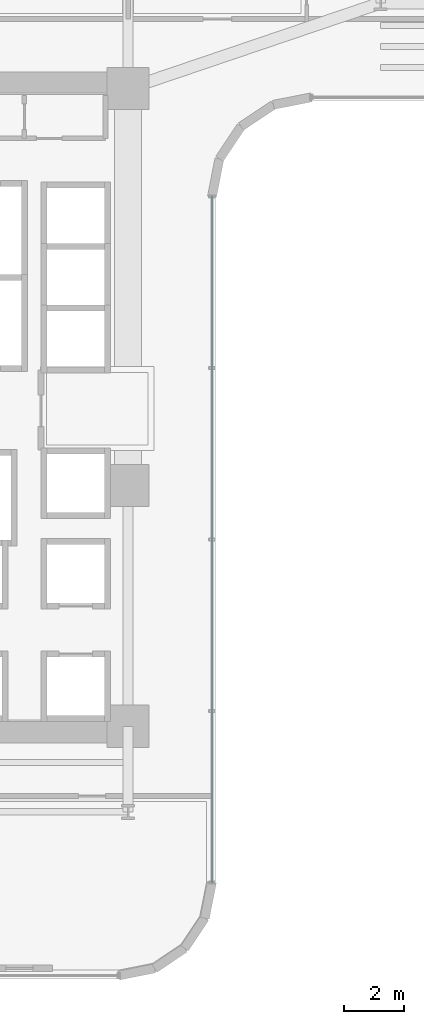
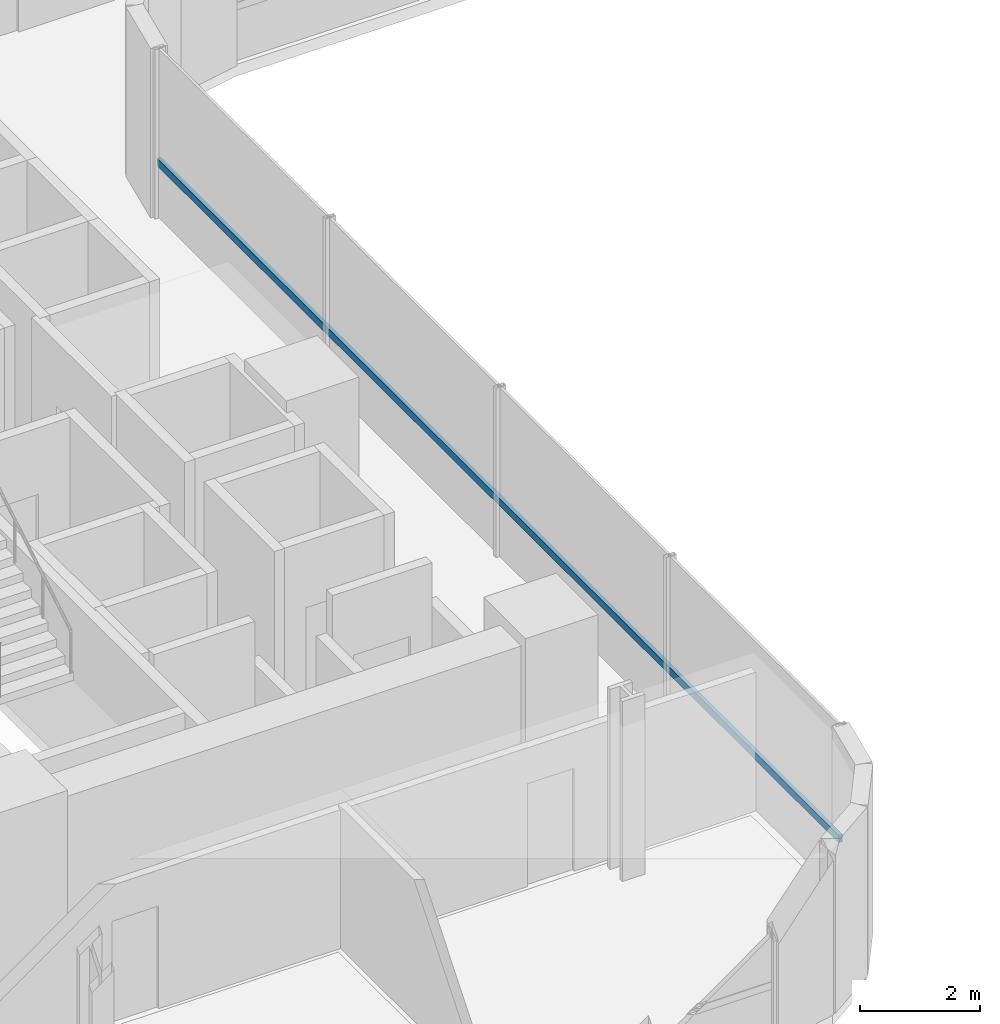
# One storey, part 7 of 41: 1 member, 1 element without a shape of its own.
"""IFC4 building model written with IfcOpenShell, lengths in metres."""

import ifcopenshell
import ifcopenshell.guid

model = None  # the IFC model being written
_history = None  # IfcOwnerHistory: only IFC2X3 demands one
_inside = {}  # id of a spatial element -> (the spatial element, [elements in it])
_under = {}  # id of a project, library or spatial element -> (it, [spatial elements below it])
_declared = {}  # id of a project -> (the project, [libraries it declares])
_typed = {}  # id of a type object -> (the type object, [elements of that type])
_made_of = {}  # id of a material, layer set ... -> (it, [elements and type objects made of it])


def new_model(schema):
    """Start an empty IFC model of exactly this schema.

    Asked for "IFC4X3", IfcOpenShell would pick the latest addendum, in which some entities
    have other attributes; the version numbers below select the first issue.
    IFC2X3 requires an IfcOwnerHistory on every rooted entity: one is made here for all.
    """
    global model, _history
    if schema == "IFC4X3":
        model = ifcopenshell.file(schema_version=(4, 3, 0, 0))
    else:
        model = ifcopenshell.file(schema=schema)
    _inside.clear()
    _under.clear()
    _declared.clear()
    _typed.clear()
    _made_of.clear()
    _history = None
    if model.schema == "IFC2X3":
        org = make("IfcOrganization", Name="unknown")
        user = make(
            "IfcPersonAndOrganization",
            ThePerson=make("IfcPerson", FamilyName="unknown"),
            TheOrganization=org,
        )
        app = make(
            "IfcApplication",
            ApplicationDeveloper=org,
            Version="unknown",
            ApplicationFullName="unknown",
            ApplicationIdentifier="unknown",
        )
        _history = make(
            "IfcOwnerHistory",
            OwningUser=user,
            OwningApplication=app,
            ChangeAction="ADDED",
            CreationDate=0,
        )
    return model


def make(cls, **values):
    """One entity of the class cls with the attributes given. An attribute that is None is left unset."""
    return model.create_entity(
        cls, **{name: value for name, value in values.items() if value is not None}
    )


def rooted(cls, **values):
    """An entity with a GlobalId (a new one), such as an element, a storey or a relation."""
    return make(cls, GlobalId=ifcopenshell.guid.new(), OwnerHistory=_history, **values)


def si_unit(unit_type, name, prefix=None):
    """IfcSIUnit, for example si_unit("LENGTHUNIT", "METRE", prefix="MILLI")."""
    return make("IfcSIUnit", UnitType=unit_type, Prefix=prefix, Name=name)


def assignment(units):
    """IfcUnitAssignment: the units of a project."""
    return None if units is None else make("IfcUnitAssignment", Units=units)


def point(xyz):
    """IfcCartesianPoint."""
    return None if xyz is None else make("IfcCartesianPoint", Coordinates=xyz)


def direction(xyz):
    """IfcDirection."""
    return None if xyz is None else make("IfcDirection", DirectionRatios=xyz)


def frame(location, z_axis=None, x_axis=None):
    """IfcAxis2Placement3D, a coordinate frame: its origin and axes. An axis left out is left unset."""
    return make(
        "IfcAxis2Placement3D",
        Location=point(location),
        Axis=direction(z_axis),
        RefDirection=direction(x_axis),
    )


def frame_2d(location, x_axis=None):
    """IfcAxis2Placement2D, a coordinate frame in the plane: its origin and x axis."""
    return make(
        "IfcAxis2Placement2D", Location=point(location), RefDirection=direction(x_axis)
    )


def origin():
    """The frame at (0, 0, 0) with its axes left unset."""
    return frame((0.0, 0.0, 0.0))


def origin_2d():
    """The frame at (0, 0) in the plane with its x axis left unset."""
    return frame_2d((0.0, 0.0))


def place(relative_to, where):
    """IfcLocalPlacement: puts the frame where relative to a parent placement (None: the world)."""
    return make(
        "IfcLocalPlacement", PlacementRelTo=relative_to, RelativePlacement=where
    )


def context(
    kind, dimensions, precision=None, world=None, true_north=None, identifier=None
):
    """IfcGeometricRepresentationContext, for example the 3D "Model" context."""
    return make(
        "IfcGeometricRepresentationContext",
        ContextIdentifier=identifier,
        ContextType=kind,
        CoordinateSpaceDimension=dimensions,
        Precision=precision,
        WorldCoordinateSystem=world,
        TrueNorth=true_north,
    )


def subcontext(parent, identifier, kind, view, scale=None):
    """IfcGeometricRepresentationSubContext, for example "Body" below "Model"."""
    return make(
        "IfcGeometricRepresentationSubContext",
        ContextIdentifier=identifier,
        ContextType=kind,
        ParentContext=parent,
        TargetScale=scale,
        TargetView=view,
    )


def project(units=None, contexts=None):
    """IfcProject with its units and contexts."""
    return rooted(
        "IfcProject",
        Name="project",
        RepresentationContexts=contexts,
        UnitsInContext=assignment(units),
    )


def spatial(cls, under=None, at=None, **own):
    """A site, building, storey or space (cls), placed at a placement, below another one or the project."""
    s = rooted(cls, ObjectPlacement=at, **own)
    if under is not None:
        _under.setdefault(under.id(), (under, []))[1].append(s)
    return s


def profile(cls, at=None, kind="AREA", **sizes):
    """A parametric profile (cls). Its sizes go by their IFC names, for example OverallWidth=200.0."""
    return make(cls, ProfileType=kind, Position=at, **sizes)


def hollow_rectangle(**sizes):
    """IfcRectangleHollowProfileDef."""
    return profile("IfcRectangleHollowProfileDef", **sizes)


def extrude(swept, where, along, depth):
    """IfcExtrudedAreaSolid: the profile swept, set in the frame where, extruded along a direction by depth."""
    return make(
        "IfcExtrudedAreaSolid",
        SweptArea=swept,
        Position=where,
        ExtrudedDirection=direction(along),
        Depth=depth,
    )


def shape(context_of_items, identifier, shape_type, items):
    """IfcShapeRepresentation: the items that make up one representation, for example the "Body"."""
    return make(
        "IfcShapeRepresentation",
        ContextOfItems=context_of_items,
        RepresentationIdentifier=identifier,
        RepresentationType=shape_type,
        Items=items,
    )


def source(mapping_origin, context_of_items, identifier, shape_type, items):
    """IfcRepresentationMap: a shape defined once, which mapped items show again and again."""
    return make(
        "IfcRepresentationMap",
        MappingOrigin=mapping_origin,
        MappedRepresentation=shape(context_of_items, identifier, shape_type, items),
    )


def transform(
    local_origin,
    x_axis=None,
    y_axis=None,
    z_axis=None,
    scale=None,
    scale2=None,
    scale3=None,
    uniform=True,
):
    """IfcCartesianTransformationOperator3D, or its non-uniform kind. x_axis, y_axis, z_axis: its Axis1, 2, 3."""
    if uniform:
        return make(
            "IfcCartesianTransformationOperator3D",
            Axis1=direction(x_axis),
            Axis2=direction(y_axis),
            LocalOrigin=point(local_origin),
            Scale=scale,
            Axis3=direction(z_axis),
        )
    return make(
        "IfcCartesianTransformationOperator3DnonUniform",
        Axis1=direction(x_axis),
        Axis2=direction(y_axis),
        LocalOrigin=point(local_origin),
        Scale=scale,
        Axis3=direction(z_axis),
        Scale2=scale2,
        Scale3=scale3,
    )


def mapped(mapping_source, mapping_target):
    """IfcMappedItem: shows the shape of a source again, moved by a transform."""
    return make(
        "IfcMappedItem", MappingSource=mapping_source, MappingTarget=mapping_target
    )


def material(Name=None, Category=None):
    """IfcMaterial."""
    return make("IfcMaterial", Name=Name, Category=Category)


def material_profile(
    of_material, cross_section, Name=None, Category=None, Priority=None
):
    """IfcMaterialProfile: a cross section and its material."""
    return make(
        "IfcMaterialProfile",
        Name=Name,
        Material=of_material,
        Profile=cross_section,
        Priority=Priority,
        Category=Category,
    )


def profile_set(profiles, Name=None, composite=None):
    """IfcMaterialProfileSet."""
    return make(
        "IfcMaterialProfileSet",
        Name=Name,
        MaterialProfiles=profiles,
        CompositeProfile=composite,
    )


def made_of(thing, what):
    """Note that an element or type object is made of a material, layer set ...; save() writes the relation."""
    if what is not None:
        _made_of.setdefault(what.id(), (what, []))[1].append(thing)
    return thing


def type_object(cls, material=None, **own):
    """A type object (cls), such as IfcWallType, which elements share."""
    return made_of(rooted(cls, **own), material)


def element(
    cls,
    number,
    at=None,
    inside=None,
    cuts=None,
    type_object=None,
    material=None,
    context=None,
    identifier="Body",
    shape_type=None,
    held_by="IfcProductDefinitionShape",
    body=None,
    shapes=None,
    **own,
):
    """One element of the class cls, such as IfcWall. Its Tag is "e" and its number.

    at: its placement. inside: the storey or other place that contains it. cuts: it is an
    opening in that element (IfcRelVoidsElement). A single representation is given by context,
    identifier, shape_type and body (its items); several are given by shapes. held_by: the class
    of the entity that holds the representations. save() writes the other relations.
    """
    e = rooted(cls, Tag="e%d" % number, ObjectPlacement=at, **own)
    if body is not None:
        shapes = [shape(context, identifier, shape_type, body)]
    if shapes is not None:
        e.Representation = make(held_by, Representations=shapes)
    if inside is not None:
        _inside.setdefault(inside.id(), (inside, []))[1].append(e)
    if cuts is not None:
        rooted(
            "IfcRelVoidsElement", RelatingBuildingElement=cuts, RelatedOpeningElement=e
        )
    if type_object is not None:
        _typed.setdefault(type_object.id(), (type_object, []))[1].append(e)
    return made_of(e, material)


def aggregate(whole, parts):
    """IfcRelAggregates: a whole, such as a stair, and the parts it consists of."""
    return rooted("IfcRelAggregates", RelatingObject=whole, RelatedObjects=parts)


def save(model, path):
    """Write the relations noted so far, then the file.

    IfcRelAggregates (storeys below a building ...), IfcRelContainedInSpatialStructure (elements
    in a storey), IfcRelDefinesByType, IfcRelAssociatesMaterial and IfcRelDeclares: one each for
    every whole, place, type object, material and project.
    """
    for whole, parts in _under.values():
        aggregate(whole, parts)
    for where, things in _inside.values():
        rooted(
            "IfcRelContainedInSpatialStructure",
            RelatedElements=things,
            RelatingStructure=where,
        )
    for kind, things in _typed.values():
        rooted("IfcRelDefinesByType", RelatedObjects=things, RelatingType=kind)
    for what, things in _made_of.values():
        rooted("IfcRelAssociatesMaterial", RelatedObjects=things, RelatingMaterial=what)
    for by, libraries in _declared.values():
        rooted("IfcRelDeclares", RelatingContext=by, RelatedDefinitions=libraries)
    model.write(path)


model = new_model("IFC4")

# Units and contexts
model_context = context("Model", 3, precision=1e-05, world=origin(), true_north=direction((0.0, 1.0)))
body_context = subcontext(model_context, "Body", "Model", "MODEL_VIEW")
ifc_project = project(units=[si_unit("LENGTHUNIT", "METRE"), si_unit("AREAUNIT", "SQUARE_METRE"), si_unit("VOLUMEUNIT", "CUBIC_METRE"), si_unit("PLANEANGLEUNIT", "RADIAN"), si_unit("MASSUNIT", "GRAM", prefix="KILO")], contexts=[model_context])

# Site, building, storey
site_placement = place(None, origin())
site = spatial("IfcSite", under=ifc_project, at=site_placement, CompositionType="ELEMENT")
building_placement = place(site_placement, origin())
building = spatial("IfcBuilding", under=site, at=building_placement, Name="Valdorenza Pilgrim Sanctuary Tower", CompositionType="ELEMENT")
storey_placement = place(building_placement, frame((0.0, 0.0, 88.89990234375)))
storey = spatial("IfcBuildingStorey", under=building, at=storey_placement, Name="L22", CompositionType="ELEMENT", Elevation=88.89990234375)

# Curtain wall, member
ifc_material_1 = material(Name="Curtain-wall IGU glazing", Category="glass")
curtain_wall_type = type_object("IfcCurtainWallType", Name="CW-SYS-02", PredefinedType="NOTDEFINED", material=ifc_material_1)
curtain_wall_placement = place(storey_placement, origin())
curtain_wall = element("IfcCurtainWall", 1, at=curtain_wall_placement, inside=storey, type_object=curtain_wall_type, Name="L22 Curtain Wall CW-L22-1-41", PredefinedType="NOTDEFINED")
ifc_material_2 = material(Name="Anodised aluminium AW-6060", Category="aluminium")
ifc_material_profile = material_profile(ifc_material_2, hollow_rectangle(XDim=0.074951171875, YDim=0.14990234375, WallThickness=0.00390625, at=origin_2d()), Name="ALU-T 150x75x4")
ifc_profile_set = profile_set([ifc_material_profile], Name="Anodised aluminium AW-6060")
member_type = type_object("IfcMemberType", Name="CW-TRN-02", PredefinedType="USERDEFINED", material=ifc_profile_set)
shared_shape = source(origin(), body_context, "Body", "SweptSolid", [
    extrude(hollow_rectangle(XDim=0.074951171875, YDim=0.14990234375, WallThickness=0.00390625, at=origin_2d()), origin(), (0.0, 0.0, 1.0), 22.800048828125),
])
member_placement = place(storey_placement, frame((-9.610107421875, 7.0107421875, 1.1201171875), z_axis=(0.0, -1.0, 0.0), x_axis=(1.0, 0.0, 0.0)))
member = element("IfcMember", 2, at=member_placement, type_object=member_type, Name="CW-L22-1-41 Transom 1", ObjectType="TRANSOM", PredefinedType="USERDEFINED", context=body_context, shape_type="MappedRepresentation", body=[
    mapped(shared_shape, transform((0.0, 0.0, 0.0), x_axis=(1.0, 0.0, 0.0), y_axis=(0.0, 1.0, 0.0), z_axis=(0.0, 0.0, 1.0), scale=1.0)),
])
aggregate(curtain_wall, [member])

save(model, "model.ifc")
